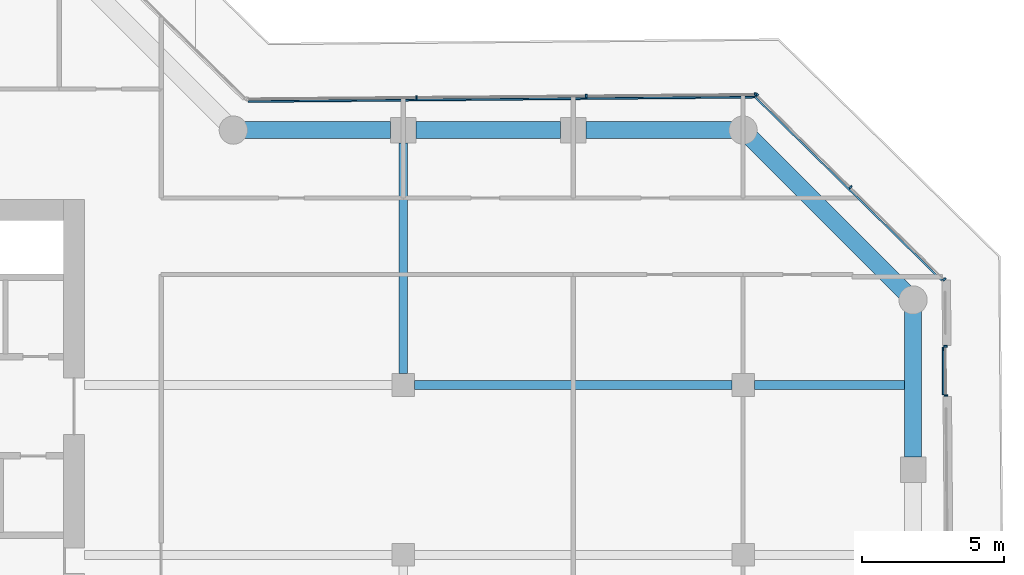
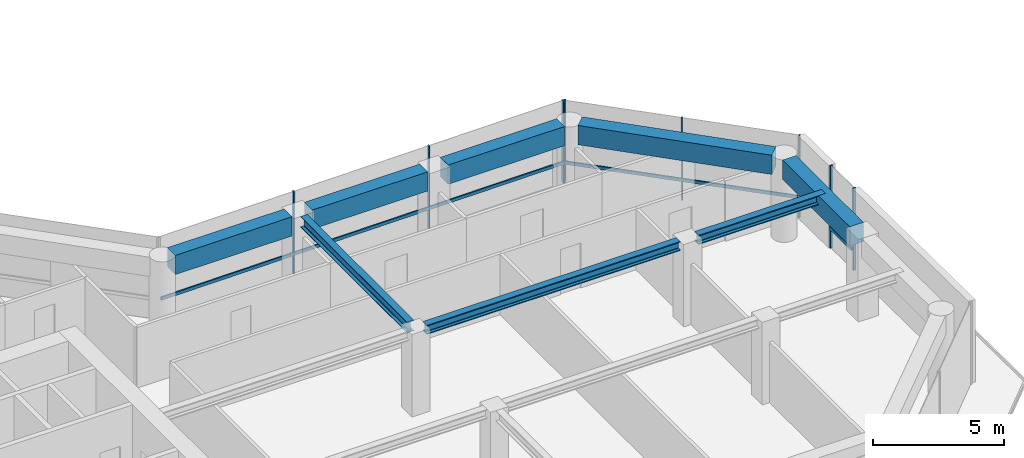
# One storey, part 7 of 21: 11 members, 8 beams, 3 elements without a shape of their own.
"""IFC4 building model written with IfcOpenShell, lengths in metres."""

from ifc_helpers import new_model, si_unit, direction, frame, origin, origin_2d, place, context, subcontext, project, spatial, rectangle, i_section, extrude, material, layer, layer_set, material_profile, profile_set, type_object, element, aggregate, save


model = new_model("IFC4")

# Units and contexts
model_context = context("Model", 3, precision=1e-05, world=origin(), true_north=direction((0.0, 1.0)))
body_context = subcontext(model_context, "Body", "Model", "MODEL_VIEW")
ifc_project = project(units=[si_unit("LENGTHUNIT", "METRE"), si_unit("AREAUNIT", "SQUARE_METRE"), si_unit("VOLUMEUNIT", "CUBIC_METRE"), si_unit("PLANEANGLEUNIT", "RADIAN"), si_unit("MASSUNIT", "GRAM", prefix="KILO")], contexts=[model_context])

# Site, building, storey
site_placement = place(None, origin())
site = spatial("IfcSite", under=ifc_project, at=site_placement, CompositionType="ELEMENT")
building_placement = place(site_placement, origin())
building = spatial("IfcBuilding", under=site, at=building_placement, Name="Welwitschia Terrace Campus", CompositionType="ELEMENT")
storey_placement = place(building_placement, frame((0.0, 0.0, 108.800048828125)))
storey = spatial("IfcBuildingStorey", under=building, at=storey_placement, Name="L24", CompositionType="ELEMENT", Elevation=108.800048828125)

# Beams
ifc_material_1 = material(Name="Steel S355", Category="steel")
ifc_material_profile_1 = material_profile(ifc_material_1, i_section(OverallWidth=0.306884765625, OverallDepth=0.431884765625, WebThickness=0.02099609375, FlangeThickness=0.0400390625, FilletRadius=0.027099609375, at=origin_2d()))
ifc_profile_set_1 = profile_set([ifc_material_profile_1], Name="Steel S355")
beam_type_1 = type_object("IfcBeamType", Name="Interior girder HE 400 M", PredefinedType="BEAM", material=ifc_profile_set_1)
beam_1_placement = place(storey_placement, frame((36.400390625, 19.0, 3.634033203125), z_axis=(1.0, 0.0, 0.0), x_axis=(0.0, 1.0, 0.0)))
element("IfcBeam", 1, at=beam_1_placement, inside=storey, type_object=beam_type_1, Name="Girder GB3", PredefinedType="BEAM", context=body_context, shape_type="SweptSolid", body=[
    extrude(i_section(OverallWidth=0.306884765625, OverallDepth=0.431884765625, WebThickness=0.02099609375, FlangeThickness=0.0400390625, FilletRadius=0.027099609375, at=origin_2d()), origin(), (0.0, 0.0, 1.0), 11.19921875),
])
beam_2_placement = place(storey_placement, frame((48.400390625, 19.0, 3.634033203125), z_axis=(1.0, 0.0, 0.0), x_axis=(0.0, 1.0, 0.0)))
element("IfcBeam", 2, at=beam_2_placement, inside=storey, type_object=beam_type_1, Name="Girder GB3", PredefinedType="BEAM", context=body_context, shape_type="SweptSolid", body=[
    extrude(i_section(OverallWidth=0.306884765625, OverallDepth=0.431884765625, WebThickness=0.02099609375, FlangeThickness=0.0400390625, FilletRadius=0.027099609375, at=origin_2d()), origin(), (0.0, 0.0, 1.0), 5.609619140625),
])

# Curtain wall, members
ifc_material_2 = material(Name="Bronze anodised aluminium", Category="aluminium")
ifc_layer = layer(ifc_material_2, 0.1201171875)
ifc_layer_set = layer_set([ifc_layer], Name="Bronze anodised aluminium")
curtain_wall_type = type_object("IfcCurtainWallType", Name="Curtain wall CW2 tower 6000", PredefinedType="NOTDEFINED", material=ifc_layer_set)
curtain_wall_1_placement = place(storey_placement, origin())
curtain_wall_1 = element("IfcCurtainWall", 3, at=curtain_wall_1_placement, inside=storey, type_object=curtain_wall_type, Name="CW L24.6.S0", PredefinedType="NOTDEFINED")
ifc_material_3 = material(Name="Bronze anodised aluminium", Category="aluminium")
ifc_material_profile_2 = material_profile(ifc_material_3, rectangle(XDim=0.1201171875, YDim=0.06005859375, at=origin_2d()))
ifc_profile_set_2 = profile_set([ifc_material_profile_2], Name="Bronze anodised aluminium")
member_type_1 = type_object("IfcMemberType", Name="Mullion 60x120", PredefinedType="MULLION", material=ifc_profile_set_2)
member_1_placement = place(storey_placement, frame((55.158203125, 18.626220703125, 0.0), z_axis=(0.0, 0.0, 1.0), x_axis=(-0.999961923064, -0.008726535498, 0.0)))
member_1 = element("IfcMember", 4, at=member_1_placement, type_object=member_type_1, Name="Mullion L24.6.S0.0", PredefinedType="MULLION", context=body_context, shape_type="SweptSolid", body=[
    extrude(rectangle(XDim=0.1201171875, YDim=0.06005859375, at=origin_2d()), origin(), (0.0, 0.0, 1.0), 3.849853515625),
])
member_2_placement = place(storey_placement, frame((55.14306640625, 20.3662109375, 0.0), z_axis=(0.0, 0.0, 1.0), x_axis=(-0.999961923064, -0.008726535498, 0.0)))
member_2 = element("IfcMember", 5, at=member_2_placement, type_object=member_type_1, Name="Mullion L24.6.S0.1", PredefinedType="MULLION", context=body_context, shape_type="SweptSolid", body=[
    extrude(rectangle(XDim=0.1201171875, YDim=0.06005859375, at=origin_2d()), origin(), (0.0, 0.0, 1.0), 3.849853515625),
])

curtain_wall_2_placement = place(storey_placement, origin())
curtain_wall_2 = element("IfcCurtainWall", 6, at=curtain_wall_2_placement, inside=storey, type_object=curtain_wall_type, Name="CW L24.7.0", PredefinedType="NOTDEFINED")
member_3_placement = place(storey_placement, frame((55.101318359375, 22.73046875, 0.0), z_axis=(0.0, 0.0, 1.0), x_axis=(-0.7009092643, -0.713250449154, 0.0)))
member_3 = element("IfcMember", 7, at=member_3_placement, type_object=member_type_1, Name="Mullion L24.7.0.0", PredefinedType="MULLION", context=body_context, shape_type="SweptSolid", body=[
    extrude(rectangle(XDim=0.1201171875, YDim=0.06005859375, at=origin_2d()), origin(), (0.0, 0.0, 1.0), 3.849853515625),
])
member_4_placement = place(storey_placement, frame((51.792236328125, 25.982177734375, 0.0), z_axis=(0.0, 0.0, 1.0), x_axis=(-0.7009092643, -0.713250449154, 0.0)))
member_4 = element("IfcMember", 8, at=member_4_placement, type_object=member_type_1, Name="Mullion L24.7.0.1", PredefinedType="MULLION", context=body_context, shape_type="SweptSolid", body=[
    extrude(rectangle(XDim=0.1201171875, YDim=0.06005859375, at=origin_2d()), origin(), (0.0, 0.0, 1.0), 3.849853515625),
])
member_5_placement = place(storey_placement, frame((48.483154296875, 29.23388671875, 0.0), z_axis=(0.0, 0.0, 1.0), x_axis=(-0.7009092643, -0.713250449154, 0.0)))
member_5 = element("IfcMember", 9, at=member_5_placement, type_object=member_type_1, Name="Mullion L24.7.0.2", PredefinedType="MULLION", context=body_context, shape_type="SweptSolid", body=[
    extrude(rectangle(XDim=0.1201171875, YDim=0.06005859375, at=origin_2d()), origin(), (0.0, 0.0, 1.0), 3.849853515625),
])

curtain_wall_3_placement = place(storey_placement, origin())
curtain_wall_3 = element("IfcCurtainWall", 10, at=curtain_wall_3_placement, inside=storey, type_object=curtain_wall_type, Name="CW L24.8.0", PredefinedType="NOTDEFINED")
member_6_placement = place(storey_placement, frame((48.431884765625, 29.254638671875, 0.0), z_axis=(0.0, 0.0, 1.0), x_axis=(0.008726535498, -0.999961923064, 0.0)))
member_6 = element("IfcMember", 11, at=member_6_placement, type_object=member_type_1, Name="Mullion L24.8.0.0", PredefinedType="MULLION", context=body_context, shape_type="SweptSolid", body=[
    extrude(rectangle(XDim=0.1201171875, YDim=0.06005859375, at=origin_2d()), origin(), (0.0, 0.0, 1.0), 3.849853515625),
])
member_7_placement = place(storey_placement, frame((42.462158203125, 29.202392578125, 0.0), z_axis=(0.0, 0.0, 1.0), x_axis=(0.008726535498, -0.999961923064, 0.0)))
member_7 = element("IfcMember", 12, at=member_7_placement, type_object=member_type_1, Name="Mullion L24.8.0.1", PredefinedType="MULLION", context=body_context, shape_type="SweptSolid", body=[
    extrude(rectangle(XDim=0.1201171875, YDim=0.06005859375, at=origin_2d()), origin(), (0.0, 0.0, 1.0), 3.849853515625),
])
member_8_placement = place(storey_placement, frame((36.46240234375, 29.150146484375, 0.0), z_axis=(0.0, 0.0, 1.0), x_axis=(0.008726535498, -0.999961923064, 0.0)))
member_8 = element("IfcMember", 13, at=member_8_placement, type_object=member_type_1, Name="Mullion L24.8.0.2", PredefinedType="MULLION", context=body_context, shape_type="SweptSolid", body=[
    extrude(rectangle(XDim=0.1201171875, YDim=0.06005859375, at=origin_2d()), origin(), (0.0, 0.0, 1.0), 3.849853515625),
])

# Beams
ifc_material_4 = material(Name="Steel S355", Category="steel")
ifc_material_profile_3 = material_profile(ifc_material_4, i_section(OverallWidth=0.300048828125, OverallDepth=0.5, WebThickness=0.014404296875, FlangeThickness=0.028076171875, FilletRadius=0.027099609375, at=origin_2d()))
ifc_profile_set_3 = profile_set([ifc_material_profile_3], Name="Steel S355")
beam_type_2 = type_object("IfcBeamType", Name="Primary beam HE 500 B", PredefinedType="BEAM", material=ifc_profile_set_3)
beam_3_placement = place(storey_placement, frame((36.0, 27.549560546875, 3.599853515625), z_axis=(0.0, -1.0, 0.0), x_axis=(1.0, 0.0, 0.0)))
element("IfcBeam", 14, at=beam_3_placement, inside=storey, type_object=beam_type_2, Name="Primary beam PB3", PredefinedType="BEAM", context=body_context, shape_type="SweptSolid", body=[
    extrude(i_section(OverallWidth=0.300048828125, OverallDepth=0.5, WebThickness=0.014404296875, FlangeThickness=0.028076171875, FilletRadius=0.027099609375, at=origin_2d()), origin(), (0.0, 0.0, 1.0), 8.149169921875),
])
ifc_material_5 = material(Name="Concrete C60/75", Category="concrete")
ifc_material_profile_4 = material_profile(ifc_material_5, rectangle(XDim=0.60009765625, YDim=0.89990234375, at=origin_2d()))
ifc_profile_set_4 = profile_set([ifc_material_profile_4], Name="Concrete C60/75")
beam_type_3 = type_object("IfcBeamType", Name="Ring spandrel 600x900", PredefinedType="SPANDREL", material=ifc_profile_set_4)
beam_4_placement = place(storey_placement, frame((54.0, 16.450439453125, 3.39990234375), z_axis=(0.0, 1.0, 0.0), x_axis=(-1.0, 0.0, 0.0)))
element("IfcBeam", 15, at=beam_4_placement, inside=storey, type_object=beam_type_3, Name="Spandrel SP2", PredefinedType="SPANDREL", context=body_context, shape_type="SweptSolid", body=[
    extrude(rectangle(XDim=0.60009765625, YDim=0.89990234375, at=origin_2d()), origin(), (0.0, 0.0, 1.0), 5.149169921875),
])
beam_5_placement = place(storey_placement, frame((53.716796875, 22.283203125, 3.39990234375), z_axis=(-0.707106781187, 0.707106781187, 0.0), x_axis=(-0.707106781187, -0.707106781187, 0.0)))
element("IfcBeam", 16, at=beam_5_placement, inside=storey, type_object=beam_type_3, Name="Spandrel SP2", PredefinedType="SPANDREL", context=body_context, shape_type="SweptSolid", body=[
    extrude(rectangle(XDim=0.60009765625, YDim=0.89990234375, at=origin_2d()), origin(), (0.0, 0.0, 1.0), 7.684326171875),
])
beam_6_placement = place(storey_placement, frame((47.599609375, 28.0, 3.39990234375), z_axis=(-1.0, 0.0, 0.0), x_axis=(0.0, -1.0, 0.0)))
element("IfcBeam", 17, at=beam_6_placement, inside=storey, type_object=beam_type_3, Name="Spandrel SP2", PredefinedType="SPANDREL", context=body_context, shape_type="SweptSolid", body=[
    extrude(rectangle(XDim=0.60009765625, YDim=0.89990234375, at=origin_2d()), origin(), (0.0, 0.0, 1.0), 5.149169921875),
])
beam_7_placement = place(storey_placement, frame((41.549560546875, 28.0, 3.39990234375), z_axis=(-1.0, 0.0, 0.0), x_axis=(0.0, -1.0, 0.0)))
element("IfcBeam", 18, at=beam_7_placement, inside=storey, type_object=beam_type_3, Name="Spandrel SP2", PredefinedType="SPANDREL", context=body_context, shape_type="SweptSolid", body=[
    extrude(rectangle(XDim=0.60009765625, YDim=0.89990234375, at=origin_2d()), origin(), (0.0, 0.0, 1.0), 5.09912109375),
])
beam_8_placement = place(storey_placement, frame((35.549560546875, 28.0, 3.39990234375), z_axis=(-1.0, 0.0, 0.0), x_axis=(0.0, -1.0, 0.0)))
element("IfcBeam", 19, at=beam_8_placement, inside=storey, type_object=beam_type_3, Name="Spandrel SP2", PredefinedType="SPANDREL", context=body_context, shape_type="SweptSolid", body=[
    extrude(rectangle(XDim=0.60009765625, YDim=0.89990234375, at=origin_2d()), origin(), (0.0, 0.0, 1.0), 5.149169921875),
])

# Member
ifc_material_6 = material(Name="Bronze anodised aluminium", Category="aluminium")
ifc_material_profile_5 = material_profile(ifc_material_6, rectangle(XDim=0.06005859375, YDim=0.14990234375, at=origin_2d()))
ifc_profile_set_5 = profile_set([ifc_material_profile_5], Name="Bronze anodised aluminium")
member_type_2 = type_object("IfcMemberType", Name="Transom 60x150", PredefinedType="USERDEFINED", material=ifc_profile_set_5)
member_9_placement = place(storey_placement, frame((55.06787109375, 18.655517578125, 1.0), z_axis=(-0.00871933137, 0.999961985908, 0.0), x_axis=(-0.999961985908, -0.00871933137, 0.0)))
member_9 = element("IfcMember", 20, at=member_9_placement, type_object=member_type_2, Name="Transom L24.6.S0", ObjectType="TRANSOM", PredefinedType="USERDEFINED", context=body_context, shape_type="SweptSolid", body=[
    extrude(rectangle(XDim=0.06005859375, YDim=0.14990234375, at=origin_2d()), origin(), (0.0, 0.0, 1.0), 1.679931640625),
])

aggregate(curtain_wall_1, [member_1, member_2, member_9])

member_10_placement = place(storey_placement, frame((55.016845703125, 22.687255859375, 1.0), z_axis=(-0.713250484772, 0.700909228055, 0.0), x_axis=(-0.700909228055, -0.713250484772, 0.0)))
member_10 = element("IfcMember", 21, at=member_10_placement, type_object=member_type_2, Name="Transom L24.7.0", ObjectType="TRANSOM", PredefinedType="USERDEFINED", context=body_context, shape_type="SweptSolid", body=[
    extrude(rectangle(XDim=0.06005859375, YDim=0.14990234375, at=origin_2d()), origin(), (0.0, 0.0, 1.0), 9.21875),
])

aggregate(curtain_wall_2, [member_3, member_4, member_5, member_10])

member_11_placement = place(storey_placement, frame((48.402587890625, 29.164306640625, 1.0), z_axis=(-0.999961934348, -0.008725242391, 0.0), x_axis=(0.008725242391, -0.999961934348, 0.0)))
member_11 = element("IfcMember", 22, at=member_11_placement, type_object=member_type_2, Name="Transom L24.8.0", ObjectType="TRANSOM", PredefinedType="USERDEFINED", context=body_context, shape_type="SweptSolid", body=[
    extrude(rectangle(XDim=0.06005859375, YDim=0.14990234375, at=origin_2d()), origin(), (0.0, 0.0, 1.0), 17.8798828125),
])

aggregate(curtain_wall_3, [member_6, member_7, member_8, member_11])

save(model, "model.ifc")
